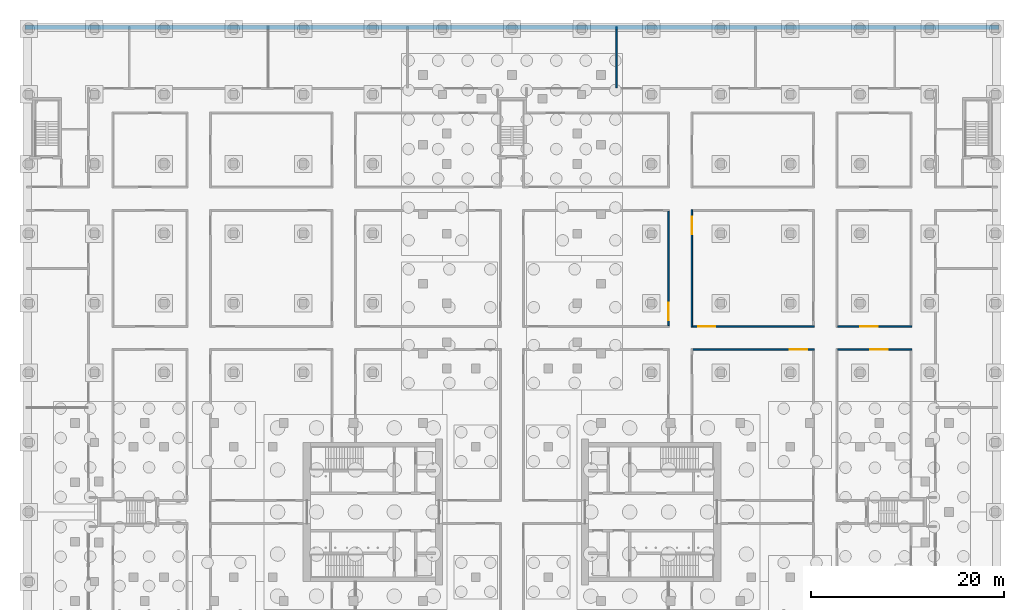
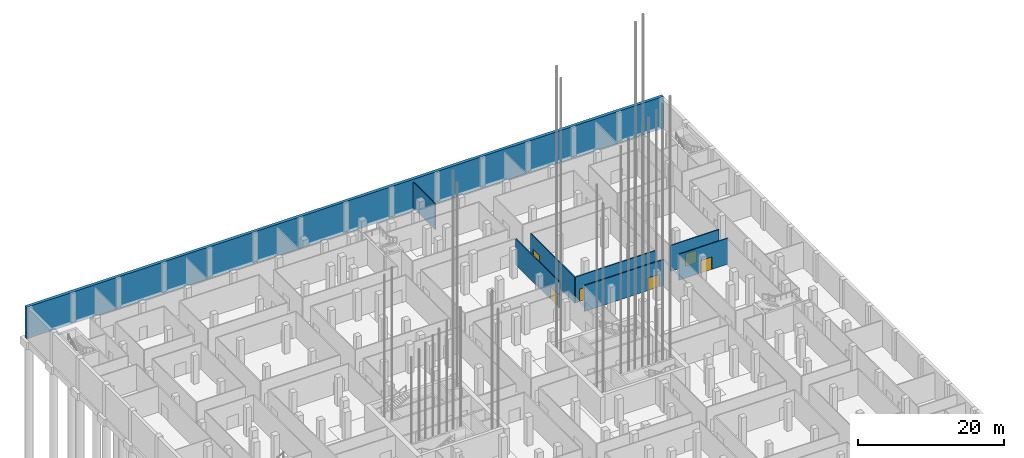
# One storey, part 19 of 54: 8 walls, 6 doors, 6 openings.
"""IFC4 building model written with IfcOpenShell, lengths in metres."""

from ifc_helpers import new_model, si_unit, direction, frame, frame_2d, origin, place, context, subcontext, project, spatial, rectangle, extrude, material, layer, layer_set, type_object, element, fill, save


model = new_model("IFC4")

# Units and contexts
model_context = context("Model", 3, precision=1e-05, world=origin(), true_north=direction((0.0, 1.0)))
body_context = subcontext(model_context, "Body", "Model", "MODEL_VIEW")
ifc_project = project(units=[si_unit("LENGTHUNIT", "METRE"), si_unit("AREAUNIT", "SQUARE_METRE"), si_unit("VOLUMEUNIT", "CUBIC_METRE"), si_unit("PLANEANGLEUNIT", "RADIAN"), si_unit("MASSUNIT", "GRAM", prefix="KILO")], contexts=[model_context])

# Site, building, storey
site_placement = place(None, origin())
site = spatial("IfcSite", under=ifc_project, at=site_placement, CompositionType="ELEMENT")
building_placement = place(site_placement, origin())
building = spatial("IfcBuilding", under=site, at=building_placement, Name="Fustian Cross Tower", CompositionType="ELEMENT")
storey_placement = place(building_placement, frame((0.0, 0.0, -4.800048828125)))
storey = spatial("IfcBuildingStorey", under=building, at=storey_placement, Name="B1", CompositionType="ELEMENT", Elevation=-4.800048828125)

# Wall
ifc_material_1 = material(Name="Plasterboard on steel stud", Category="steel")
ifc_layer_1 = layer(ifc_material_1, 0.14990234375)
ifc_layer_set_1 = layer_set([ifc_layer_1], Name="Plasterboard on steel stud")
wall_type_1 = type_object("IfcWallType", Name="COMPARTMENT WALL 150 EI 60", PredefinedType="PARTITIONING", material=ifc_layer_set_1)
wall_1_placement = place(storey_placement, frame((10.800048828125, 43.875, 0.0), z_axis=(0.0, 0.0, 1.0), x_axis=(0.0, 1.0, 0.0)))
element("IfcWall", 1, at=wall_1_placement, inside=storey, type_object=wall_type_1, Name="Partition 123", PredefinedType="PARTITIONING", context=body_context, shape_type="SweptSolid", body=[
    extrude(rectangle(XDim=6.344970703125, YDim=0.14990234375, at=frame_2d((3.17236328125, 0.0))), origin(), (0.0, 0.0, 1.0), 4.35009765625),
])

# Wall, opening, door
wall_2_placement = place(storey_placement, frame((16.199951171875, 19.27490234375, 0.0), z_axis=(0.0, 0.0, 1.0), x_axis=(0.0, 1.0, 0.0)))
wall_2 = element("IfcWall", 2, at=wall_2_placement, inside=storey, type_object=wall_type_1, Name="Partition 128", PredefinedType="PARTITIONING", context=body_context, shape_type="SweptSolid", body=[
    extrude(rectangle(XDim=11.85009765625, YDim=0.14990234375, at=frame_2d((5.925048828125, 0.0))), origin(), (0.0, 0.0, 1.0), 4.35009765625),
])
opening_1_placement = place(wall_2_placement, frame((0.574951171875, 0.0, 0.0)))
opening_1 = element("IfcOpeningElement", 3, at=opening_1_placement, cuts=wall_2, Name="Opening D01060", PredefinedType="OPENING", context=body_context, shape_type="SweptSolid", body=[
    extrude(rectangle(XDim=1.800048828125, YDim=2.10009765625, at=frame_2d((0.89990234375, 1.050048828125))), frame((0.0, 0.0849609375, 0.0), z_axis=(0.0, -1.0, 0.0), x_axis=(1.0, 0.0, 0.0)), (0.0, 0.0, 1.0), 0.169921875),
])
ifc_material_2 = material(Name="Timber fire door set", Category="wood")
door_type_1 = type_object("IfcDoorType", Name="FIRE DOUBLE DOOR 1800 FD60S", OperationType="DOUBLE_DOOR_DOUBLE_SWING", PredefinedType="DOOR", material=ifc_material_2)
door_1_placement = place(opening_1_placement, frame((1.800048828125, 0.0, 0.0), z_axis=(0.0, 0.0, 1.0), x_axis=(-1.0, 0.0, 0.0)))
door_1 = element("IfcDoor", 4, at=door_1_placement, inside=storey, type_object=door_type_1, Name="Door D01060", OperationType="DOUBLE_DOOR_DOUBLE_SWING", OverallHeight=2.10009765625, OverallWidth=1.800048828125, PredefinedType="DOOR", context=body_context, shape_type="SweptSolid", body=[
    extrude(rectangle(XDim=1.800048828125, YDim=2.10009765625, at=frame_2d((0.89990234375, 1.050048828125))), frame((0.0, 0.02490234375, 0.0), z_axis=(0.0, -1.0, 0.0), x_axis=(1.0, 0.0, 0.0)), (0.0, 0.0, 1.0), 0.050048828125),
])
fill(opening_1, door_1)

wall_3_placement = place(storey_placement, frame((18.675048828125, 16.800048828125, 0.0), z_axis=(0.0, 0.0, 1.0), x_axis=(1.0, 0.0, 0.0)))
wall_3 = element("IfcWall", 5, at=wall_3_placement, inside=storey, type_object=wall_type_1, Name="Partition 139", PredefinedType="PARTITIONING", context=body_context, shape_type="SweptSolid", body=[
    extrude(rectangle(XDim=12.599853515625, YDim=0.14990234375, at=frame_2d((6.2998046875, 0.0))), origin(), (0.0, 0.0, 1.0), 4.35009765625),
])
opening_2_placement = place(wall_3_placement, frame((10.074951171875, 0.0, 0.0)))
opening_2 = element("IfcOpeningElement", 6, at=opening_2_placement, cuts=wall_3, Name="Opening D01055", PredefinedType="OPENING", context=body_context, shape_type="SweptSolid", body=[
    extrude(rectangle(XDim=1.800048828125, YDim=2.10009765625, at=frame_2d((0.89990234375, 1.050048828125))), frame((0.0, 0.0849609375, 0.0), z_axis=(0.0, -1.0, 0.0), x_axis=(1.0, 0.0, 0.0)), (0.0, 0.0, 1.0), 0.169921875),
])
door_2_placement = place(opening_2_placement, origin())
door_2 = element("IfcDoor", 7, at=door_2_placement, inside=storey, type_object=door_type_1, Name="Door D01055", OperationType="DOUBLE_DOOR_DOUBLE_SWING", OverallHeight=2.10009765625, OverallWidth=1.800048828125, PredefinedType="DOOR", context=body_context, shape_type="SweptSolid", body=[
    extrude(rectangle(XDim=1.800048828125, YDim=2.10009765625, at=frame_2d((0.89990234375, 1.050048828125))), frame((0.0, 0.02490234375, 0.0), z_axis=(0.0, -1.0, 0.0), x_axis=(1.0, 0.0, 0.0)), (0.0, 0.0, 1.0), 0.050048828125),
])
fill(opening_2, door_2)

wall_4_placement = place(storey_placement, frame((18.60009765625, 19.125, 0.0), z_axis=(0.0, 0.0, 1.0), x_axis=(0.0, 1.0, 0.0)))
wall_4 = element("IfcWall", 8, at=wall_4_placement, inside=storey, type_object=wall_type_1, Name="Partition 140", PredefinedType="PARTITIONING", context=body_context, shape_type="SweptSolid", body=[
    extrude(rectangle(XDim=12.14990234375, YDim=0.14990234375, at=frame_2d((6.074951171875, 0.0))), origin(), (0.0, 0.0, 1.0), 4.35009765625),
])
opening_3_placement = place(wall_4_placement, frame((9.625, 0.0, 0.0)))
opening_3 = element("IfcOpeningElement", 9, at=opening_3_placement, cuts=wall_4, Name="Opening D01061", PredefinedType="OPENING", context=body_context, shape_type="SweptSolid", body=[
    extrude(rectangle(XDim=1.800048828125, YDim=2.10009765625, at=frame_2d((0.89990234375, 1.050048828125))), frame((0.0, 0.0849609375, 0.0), z_axis=(0.0, -1.0, 0.0), x_axis=(1.0, 0.0, 0.0)), (0.0, 0.0, 1.0), 0.169921875),
])
door_3_placement = place(opening_3_placement, origin())
door_3 = element("IfcDoor", 10, at=door_3_placement, inside=storey, type_object=door_type_1, Name="Door D01061", OperationType="DOUBLE_DOOR_DOUBLE_SWING", OverallHeight=2.10009765625, OverallWidth=1.800048828125, PredefinedType="DOOR", context=body_context, shape_type="SweptSolid", body=[
    extrude(rectangle(XDim=1.800048828125, YDim=2.10009765625, at=frame_2d((0.89990234375, 1.050048828125))), frame((0.0, 0.02490234375, 0.0), z_axis=(0.0, -1.0, 0.0), x_axis=(1.0, 0.0, 0.0)), (0.0, 0.0, 1.0), 0.050048828125),
])
fill(opening_3, door_3)

wall_5_placement = place(storey_placement, frame((18.675048828125, 19.199951171875, 0.0), z_axis=(0.0, 0.0, 1.0), x_axis=(1.0, 0.0, 0.0)))
wall_5 = element("IfcWall", 11, at=wall_5_placement, inside=storey, type_object=wall_type_1, Name="Partition 141", PredefinedType="PARTITIONING", context=body_context, shape_type="SweptSolid", body=[
    extrude(rectangle(XDim=12.599853515625, YDim=0.14990234375, at=frame_2d((6.2998046875, 0.0))), origin(), (0.0, 0.0, 1.0), 4.35009765625),
])
opening_4_placement = place(wall_5_placement, frame((0.574951171875, 0.0, 0.0)))
opening_4 = element("IfcOpeningElement", 12, at=opening_4_placement, cuts=wall_5, Name="Opening D01062", PredefinedType="OPENING", context=body_context, shape_type="SweptSolid", body=[
    extrude(rectangle(XDim=1.800048828125, YDim=2.10009765625, at=frame_2d((0.89990234375, 1.050048828125))), frame((0.0, 0.0849609375, 0.0), z_axis=(0.0, -1.0, 0.0), x_axis=(1.0, 0.0, 0.0)), (0.0, 0.0, 1.0), 0.169921875),
])
door_4_placement = place(opening_4_placement, frame((1.800048828125, 0.0, 0.0), z_axis=(0.0, 0.0, 1.0), x_axis=(-1.0, 0.0, 0.0)))
door_4 = element("IfcDoor", 13, at=door_4_placement, inside=storey, type_object=door_type_1, Name="Door D01062", OperationType="DOUBLE_DOOR_DOUBLE_SWING", OverallHeight=2.10009765625, OverallWidth=1.800048828125, PredefinedType="DOOR", context=body_context, shape_type="SweptSolid", body=[
    extrude(rectangle(XDim=1.800048828125, YDim=2.10009765625, at=frame_2d((0.89990234375, 1.050048828125))), frame((0.0, 0.02490234375, 0.0), z_axis=(0.0, -1.0, 0.0), x_axis=(1.0, 0.0, 0.0)), (0.0, 0.0, 1.0), 0.050048828125),
])
fill(opening_4, door_4)

wall_6_placement = place(storey_placement, frame((33.675048828125, 16.800048828125, 0.0), z_axis=(0.0, 0.0, 1.0), x_axis=(1.0, 0.0, 0.0)))
wall_6 = element("IfcWall", 14, at=wall_6_placement, inside=storey, type_object=wall_type_1, Name="Partition 166", PredefinedType="PARTITIONING", context=body_context, shape_type="SweptSolid", body=[
    extrude(rectangle(XDim=7.699951171875, YDim=0.14990234375, at=frame_2d((3.85009765625, 0.0))), origin(), (0.0, 0.0, 1.0), 4.35009765625),
])
opening_5_placement = place(wall_6_placement, frame((3.375, 0.0, 0.0)))
opening_5 = element("IfcOpeningElement", 15, at=opening_5_placement, cuts=wall_6, Name="Opening D01159", PredefinedType="OPENING", context=body_context, shape_type="SweptSolid", body=[
    extrude(rectangle(XDim=1.800048828125, YDim=2.10009765625, at=frame_2d((0.89990234375, 1.050048828125))), frame((0.0, 0.0849609375, 0.0), z_axis=(0.0, -1.0, 0.0), x_axis=(1.0, 0.0, 0.0)), (0.0, 0.0, 1.0), 0.169921875),
])
ifc_material_3 = material(Name="Timber fire door set", Category="wood")
door_type_2 = type_object("IfcDoorType", Name="FIRE DOUBLE DOOR 1800 FD30S", OperationType="DOUBLE_DOOR_DOUBLE_SWING", PredefinedType="DOOR", material=ifc_material_3)
door_5_placement = place(opening_5_placement, origin())
door_5 = element("IfcDoor", 16, at=door_5_placement, inside=storey, type_object=door_type_2, Name="Door D01159", OperationType="DOUBLE_DOOR_DOUBLE_SWING", OverallHeight=2.10009765625, OverallWidth=1.800048828125, PredefinedType="DOOR", context=body_context, shape_type="SweptSolid", body=[
    extrude(rectangle(XDim=1.800048828125, YDim=2.10009765625, at=frame_2d((0.89990234375, 1.050048828125))), frame((0.0, 0.02490234375, 0.0), z_axis=(0.0, -1.0, 0.0), x_axis=(1.0, 0.0, 0.0)), (0.0, 0.0, 1.0), 0.050048828125),
])
fill(opening_5, door_5)

wall_7_placement = place(storey_placement, frame((33.675048828125, 19.199951171875, 0.0), z_axis=(0.0, 0.0, 1.0), x_axis=(1.0, 0.0, 0.0)))
wall_7 = element("IfcWall", 17, at=wall_7_placement, inside=storey, type_object=wall_type_1, Name="Partition 168", PredefinedType="PARTITIONING", context=body_context, shape_type="SweptSolid", body=[
    extrude(rectangle(XDim=7.699951171875, YDim=0.14990234375, at=frame_2d((3.85009765625, 0.0))), origin(), (0.0, 0.0, 1.0), 4.35009765625),
])
opening_6_placement = place(wall_7_placement, frame((2.375, 0.0, 0.0)))
opening_6 = element("IfcOpeningElement", 18, at=opening_6_placement, cuts=wall_7, Name="Opening D01149", PredefinedType="OPENING", context=body_context, shape_type="SweptSolid", body=[
    extrude(rectangle(XDim=1.800048828125, YDim=2.10009765625, at=frame_2d((0.89990234375, 1.050048828125))), frame((0.0, 0.0849609375, 0.0), z_axis=(0.0, -1.0, 0.0), x_axis=(1.0, 0.0, 0.0)), (0.0, 0.0, 1.0), 0.169921875),
])
door_6_placement = place(opening_6_placement, frame((1.800048828125, 0.0, 0.0), z_axis=(0.0, 0.0, 1.0), x_axis=(-1.0, 0.0, 0.0)))
door_6 = element("IfcDoor", 19, at=door_6_placement, inside=storey, type_object=door_type_2, Name="Door D01149", OperationType="DOUBLE_DOOR_DOUBLE_SWING", OverallHeight=2.10009765625, OverallWidth=1.800048828125, PredefinedType="DOOR", context=body_context, shape_type="SweptSolid", body=[
    extrude(rectangle(XDim=1.800048828125, YDim=2.10009765625, at=frame_2d((0.89990234375, 1.050048828125))), frame((0.0, 0.02490234375, 0.0), z_axis=(0.0, -1.0, 0.0), x_axis=(1.0, 0.0, 0.0)), (0.0, 0.0, 1.0), 0.050048828125),
])
fill(opening_6, door_6)

# Wall
ifc_material_4 = material(Name="Concrete C40/50", Category="concrete")
ifc_layer_2 = layer(ifc_material_4, 0.5)
ifc_layer_set_2 = layer_set([ifc_layer_2], Name="Concrete C40/50")
wall_type_2 = type_object("IfcWallType", Name="RETAINING WALL 500", PredefinedType="SOLIDWALL", material=ifc_layer_set_2)
wall_8_placement = place(storey_placement, frame((-50.39990234375, 50.14990234375, -0.5), z_axis=(0.0, 0.0, 1.0), x_axis=(1.0, 0.0, 0.0)))
element("IfcWall", 20, at=wall_8_placement, inside=storey, type_object=wall_type_2, Name="RETAINING WALL N", PredefinedType="SOLIDWALL", context=body_context, shape_type="SweptSolid", body=[
    extrude(rectangle(XDim=100.7998046875, YDim=0.5, at=frame_2d((50.39990234375, 0.0))), origin(), (0.0, 0.0, 1.0), 5.300048828125),
])

save(model, "model.ifc")
